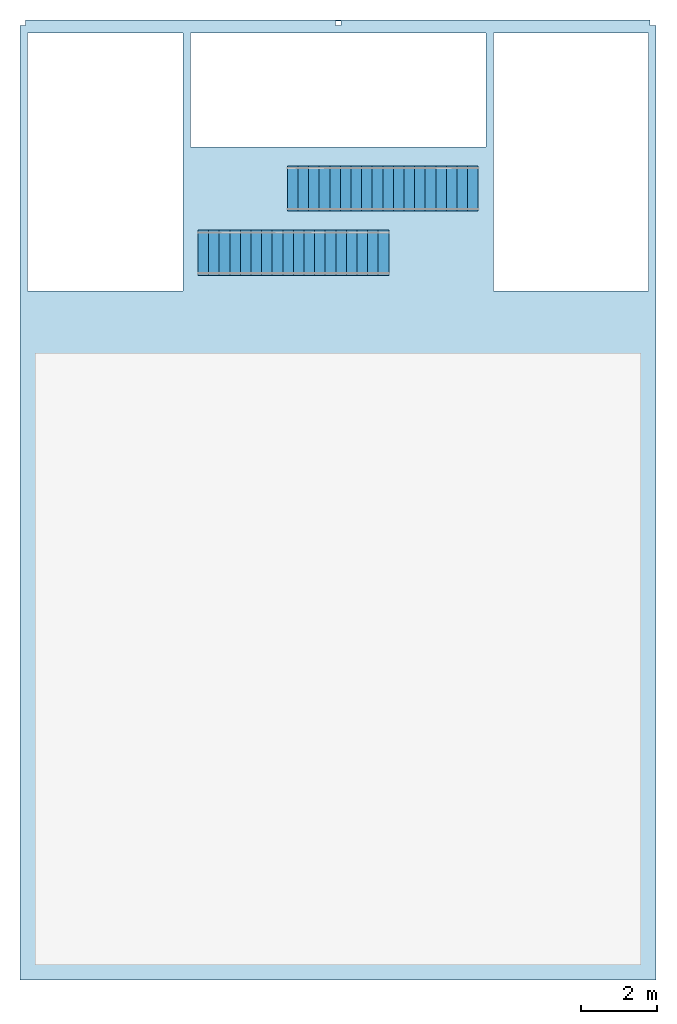
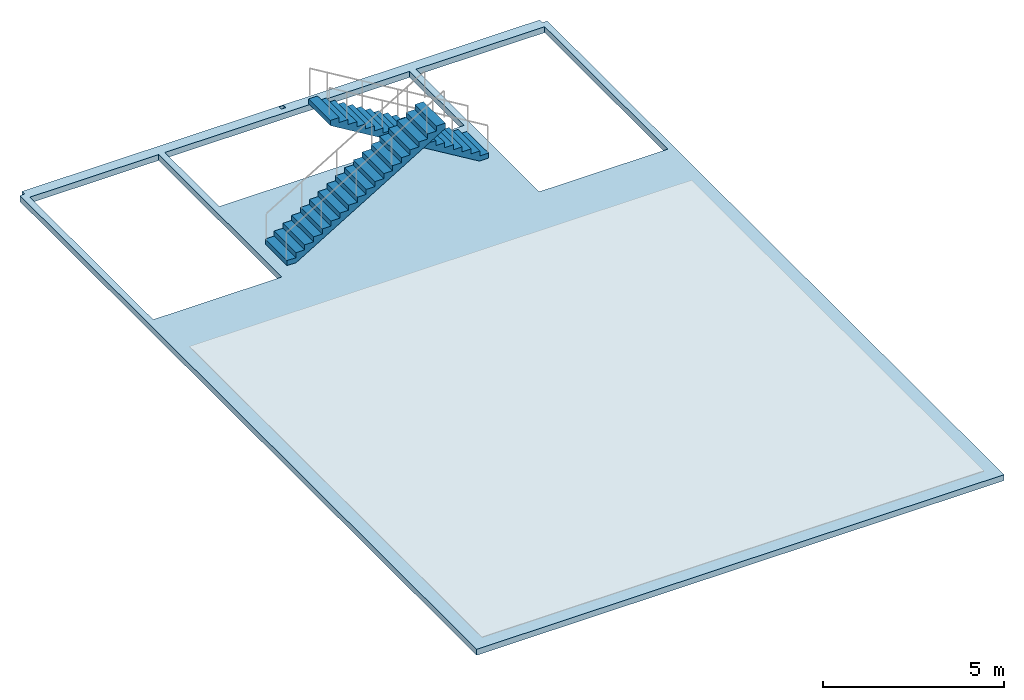
# One storey, part 1 of 2: 2 stair flights, 1 slab, 2 elements without a shape of their own.
"""IFC4 building model written with IfcOpenShell, lengths in metres."""

from ifc_helpers import new_model, si_unit, direction, frame, origin, place, context, subcontext, project, spatial, polyline, outline, extrude, material, layer, layer_set, type_object, element, aggregate, save


model = new_model("IFC4")

# Units and contexts
model_context = context("Model", 3, precision=1e-05, world=origin(), true_north=direction((0.0, 1.0)))
body_context = subcontext(model_context, "Body", "Model", "MODEL_VIEW")
ifc_project = project(units=[si_unit("LENGTHUNIT", "METRE"), si_unit("AREAUNIT", "SQUARE_METRE"), si_unit("VOLUMEUNIT", "CUBIC_METRE"), si_unit("PLANEANGLEUNIT", "RADIAN"), si_unit("MASSUNIT", "GRAM", prefix="KILO")], contexts=[model_context])

# Site, building, storey
site_placement = place(None, origin())
site = spatial("IfcSite", under=ifc_project, at=site_placement, CompositionType="ELEMENT")
building_placement = place(site_placement, origin())
building = spatial("IfcBuilding", under=site, at=building_placement, Name="Galleria Vessillo Department Store", CompositionType="ELEMENT")
storey_placement = place(building_placement, frame((0.0, 0.0, 72.0)))
storey = spatial("IfcBuildingStorey", under=building, at=storey_placement, Name="ROOF", CompositionType="ELEMENT", Elevation=72.0)

# Slab
ifc_material_1 = material(Name="Concrete C32/40 composite on steel deck", Category="concrete")
ifc_layer = layer(ifc_material_1, 0.199951171875)
ifc_layer_set = layer_set([ifc_layer], Name="Concrete C32/40 composite on steel deck")
slab_type = type_object("IfcSlabType", Name="Composite terrace slab 200 mm", PredefinedType="ROOF", material=ifc_layer_set)
slab_placement = place(storey_placement, frame((0.0, 0.0, -0.199951171875)))
element("IfcSlab", 1, at=slab_placement, inside=storey, type_object=slab_type, Name="S-SLAB-L15-ROOF", PredefinedType="ROOF", context=body_context, shape_type="SweptSolid", body=[
    extrude(outline(polyline([(117.60009765625, 37.800048828125), (117.60009765625, 63.0), (117.439453125, 63.0), (117.439453125, 63.1494140625), (100.95068359375, 63.1494140625), (100.95068359375, 63.0), (100.800048828125, 63.0), (100.800048828125, 37.800048828125), (117.60009765625, 37.800048828125)]), holes=[polyline([(117.39990234375, 62.800048828125), (113.300048828125, 62.800048828125), (113.300048828125, 56.0), (117.39990234375, 56.0), (117.39990234375, 62.800048828125)]), polyline([(113.10009765625, 62.800048828125), (105.300048828125, 62.800048828125), (105.300048828125, 59.800048828125), (113.10009765625, 59.800048828125), (113.10009765625, 62.800048828125)]), polyline([(109.27587890625, 63.0), (109.27587890625, 63.12548828125), (109.12451171875, 63.12548828125), (109.12451171875, 63.0), (109.27587890625, 63.0)]), polyline([(105.10009765625, 62.800048828125), (101.0, 62.800048828125), (101.0, 56.0), (105.10009765625, 56.0), (105.10009765625, 62.800048828125)])]), origin(), (0.0, 0.0, 1.0), 0.199951171875),
])

# Stair, stair flight
ifc_material_2 = material(Name="Steel S355 J2", Category="steel")
stair_type = type_object("IfcStairType", Name="Steel roof access stair 1200 mm, 19 risers of 168 mm", PredefinedType="STRAIGHT_RUN_STAIR", material=ifc_material_2)
stair_1_placement = place(storey_placement, origin())
stair_1 = element("IfcStair", 2, at=stair_1_placement, inside=storey, type_object=stair_type, Name="Stair RS1 ROOF", PredefinedType="STRAIGHT_RUN_STAIR")
ifc_material_3 = material(Name="Steel S355 J2", Category="steel")
stair_flight_type = type_object("IfcStairFlightType", Name="Steel stair flight 1200 mm, 19 risers of 168 mm", PredefinedType="STRAIGHT", material=ifc_material_3)
stair_flight_1_placement = place(storey_placement, frame((105.49951171875, 57.0, 0.0), z_axis=(0.0, 0.0, 1.0), x_axis=(1.0, 0.0, 0.0)))
stair_flight_1 = element("IfcStairFlight", 3, at=stair_flight_1_placement, type_object=stair_flight_type, Name="RS1 flight 1", NumberOfRisers=19, NumberOfTreads=18, PredefinedType="STRAIGHT", RiserHeight=0.168418483, TreadLength=0.28, context=body_context, shape_type="SweptSolid", body=[
    extrude(outline(polyline([(0.0, 0.0), (0.0, 0.16845703125), (0.280029296875, 0.16845703125), (0.280029296875, 0.3369140625), (0.56005859375, 0.3369140625), (0.56005859375, 0.50537109375), (0.840087890625, 0.50537109375), (0.840087890625, 0.673583984375), (1.1201171875, 0.673583984375), (1.1201171875, 0.842041015625), (1.39990234375, 0.842041015625), (1.39990234375, 1.010498046875), (1.679931640625, 1.010498046875), (1.679931640625, 1.178955078125), (1.9599609375, 1.178955078125), (1.9599609375, 1.347412109375), (2.239990234375, 1.347412109375), (2.239990234375, 1.515869140625), (2.52001953125, 1.515869140625), (2.52001953125, 1.68408203125), (2.800048828125, 1.68408203125), (2.800048828125, 1.8525390625), (3.080078125, 1.8525390625), (3.080078125, 2.02099609375), (3.360107421875, 2.02099609375), (3.360107421875, 2.189453125), (3.639892578125, 2.189453125), (3.639892578125, 2.35791015625), (3.919921875, 2.35791015625), (3.919921875, 2.5263671875), (4.199951171875, 2.5263671875), (4.199951171875, 2.694580078125), (4.47998046875, 2.694580078125), (4.47998046875, 2.863037109375), (4.760009765625, 2.863037109375), (4.760009765625, 3.031494140625), (5.0400390625, 3.031494140625), (5.0400390625, 3.199951171875), (5.0400390625, 2.856689453125), (0.290771484375, 0.0), (0.0, 0.0)])), frame((0.0, 0.60009765625, 0.0), z_axis=(0.0, -1.0, 0.0), x_axis=(1.0, 0.0, 0.0)), (0.0, 0.0, 1.0), 1.199951171875),
])
aggregate(stair_1, [stair_flight_1])

stair_2_placement = place(storey_placement, origin())
stair_2 = element("IfcStair", 4, at=stair_2_placement, inside=storey, type_object=stair_type, Name="Stair RS2 ROOF", PredefinedType="STRAIGHT_RUN_STAIR")
stair_flight_2_placement = place(storey_placement, frame((112.900390625, 58.699951171875, 0.0), z_axis=(0.0, 0.0, 1.0), x_axis=(-1.0, 0.0, 0.0)))
stair_flight_2 = element("IfcStairFlight", 5, at=stair_flight_2_placement, type_object=stair_flight_type, Name="RS2 flight 1", NumberOfRisers=19, NumberOfTreads=18, PredefinedType="STRAIGHT", RiserHeight=0.168418483, TreadLength=0.28, context=body_context, shape_type="SweptSolid", body=[
    extrude(outline(polyline([(0.0, 0.0), (0.0, 0.16845703125), (0.280029296875, 0.16845703125), (0.280029296875, 0.3369140625), (0.56005859375, 0.3369140625), (0.56005859375, 0.50537109375), (0.840087890625, 0.50537109375), (0.840087890625, 0.673583984375), (1.1201171875, 0.673583984375), (1.1201171875, 0.842041015625), (1.39990234375, 0.842041015625), (1.39990234375, 1.010498046875), (1.679931640625, 1.010498046875), (1.679931640625, 1.178955078125), (1.9599609375, 1.178955078125), (1.9599609375, 1.347412109375), (2.239990234375, 1.347412109375), (2.239990234375, 1.515869140625), (2.52001953125, 1.515869140625), (2.52001953125, 1.68408203125), (2.800048828125, 1.68408203125), (2.800048828125, 1.8525390625), (3.080078125, 1.8525390625), (3.080078125, 2.02099609375), (3.360107421875, 2.02099609375), (3.360107421875, 2.189453125), (3.639892578125, 2.189453125), (3.639892578125, 2.35791015625), (3.919921875, 2.35791015625), (3.919921875, 2.5263671875), (4.199951171875, 2.5263671875), (4.199951171875, 2.694580078125), (4.47998046875, 2.694580078125), (4.47998046875, 2.863037109375), (4.760009765625, 2.863037109375), (4.760009765625, 3.031494140625), (5.0400390625, 3.031494140625), (5.0400390625, 3.199951171875), (5.0400390625, 2.856689453125), (0.290771484375, 0.0), (0.0, 0.0)])), frame((0.0, 0.60009765625, 0.0), z_axis=(0.0, -1.0, 0.0), x_axis=(1.0, 0.0, 0.0)), (0.0, 0.0, 1.0), 1.199951171875),
])
aggregate(stair_2, [stair_flight_2])

save(model, "model.ifc")
